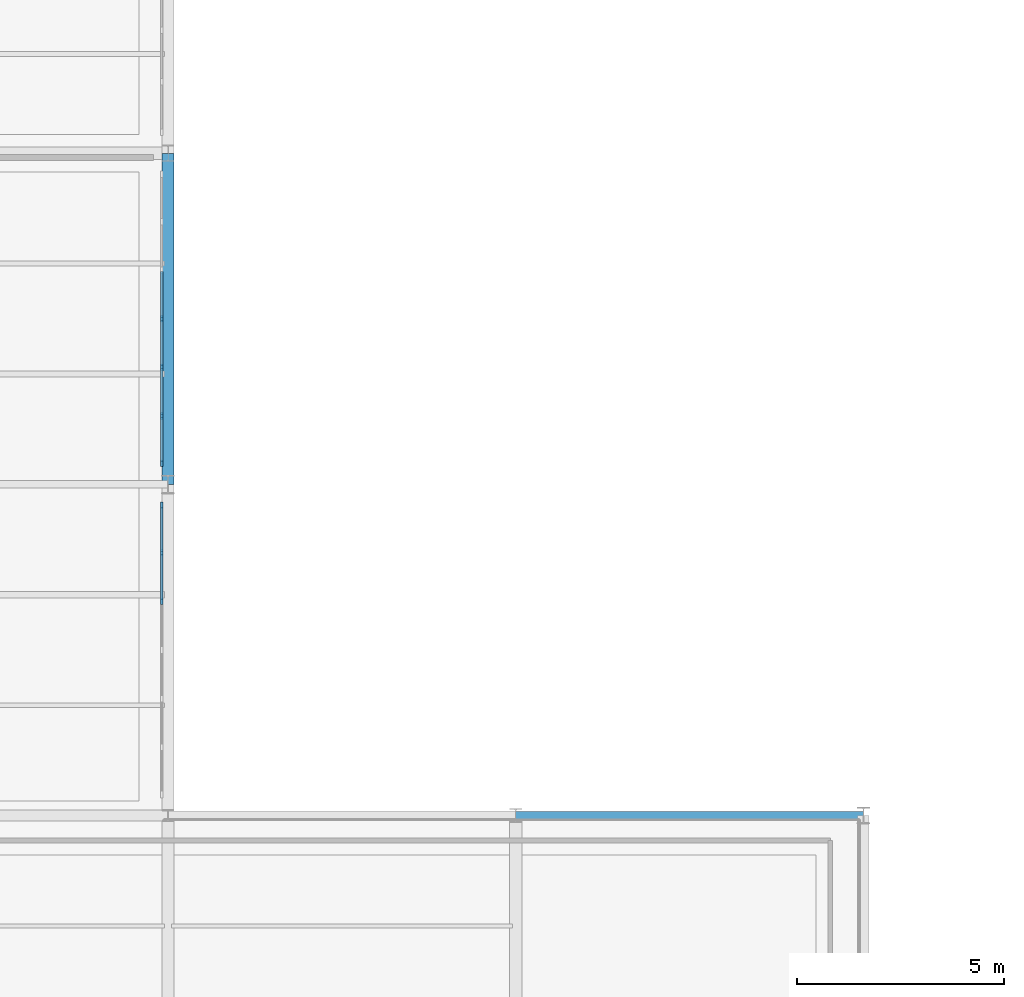
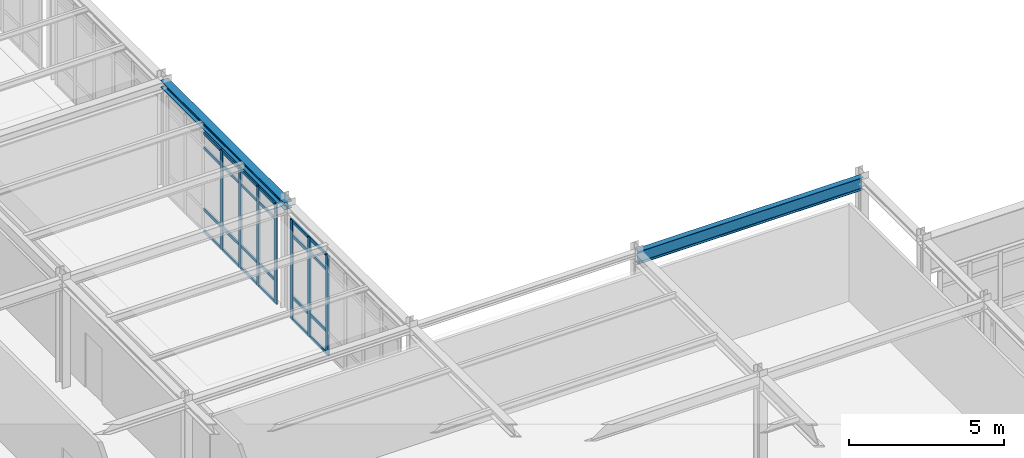
# One storey, part 45 of 106: 31 members, 2 beams, 2 elements without a shape of their own.
"""IFC4 building model written with IfcOpenShell, lengths in metres."""

import ifcopenshell
import ifcopenshell.guid

model = None  # the IFC model being written
_history = None  # IfcOwnerHistory: only IFC2X3 demands one
_inside = {}  # id of a spatial element -> (the spatial element, [elements in it])
_under = {}  # id of a project, library or spatial element -> (it, [spatial elements below it])
_declared = {}  # id of a project -> (the project, [libraries it declares])
_typed = {}  # id of a type object -> (the type object, [elements of that type])
_made_of = {}  # id of a material, layer set ... -> (it, [elements and type objects made of it])


def new_model(schema):
    """Start an empty IFC model of exactly this schema.

    Asked for "IFC4X3", IfcOpenShell would pick the latest addendum, in which some entities
    have other attributes; the version numbers below select the first issue.
    IFC2X3 requires an IfcOwnerHistory on every rooted entity: one is made here for all.
    """
    global model, _history
    if schema == "IFC4X3":
        model = ifcopenshell.file(schema_version=(4, 3, 0, 0))
    else:
        model = ifcopenshell.file(schema=schema)
    _inside.clear()
    _under.clear()
    _declared.clear()
    _typed.clear()
    _made_of.clear()
    _history = None
    if model.schema == "IFC2X3":
        org = make("IfcOrganization", Name="unknown")
        user = make(
            "IfcPersonAndOrganization",
            ThePerson=make("IfcPerson", FamilyName="unknown"),
            TheOrganization=org,
        )
        app = make(
            "IfcApplication",
            ApplicationDeveloper=org,
            Version="unknown",
            ApplicationFullName="unknown",
            ApplicationIdentifier="unknown",
        )
        _history = make(
            "IfcOwnerHistory",
            OwningUser=user,
            OwningApplication=app,
            ChangeAction="ADDED",
            CreationDate=0,
        )
    return model


def make(cls, **values):
    """One entity of the class cls with the attributes given. An attribute that is None is left unset."""
    return model.create_entity(
        cls, **{name: value for name, value in values.items() if value is not None}
    )


def rooted(cls, **values):
    """An entity with a GlobalId (a new one), such as an element, a storey or a relation."""
    return make(cls, GlobalId=ifcopenshell.guid.new(), OwnerHistory=_history, **values)


def si_unit(unit_type, name, prefix=None):
    """IfcSIUnit, for example si_unit("LENGTHUNIT", "METRE", prefix="MILLI")."""
    return make("IfcSIUnit", UnitType=unit_type, Prefix=prefix, Name=name)


def derived_unit(unit_type, elements):
    """IfcDerivedUnit: a product of units, each with its exponent."""
    return make(
        "IfcDerivedUnit",
        Elements=[
            make("IfcDerivedUnitElement", Unit=unit, Exponent=power)
            for unit, power in elements
        ],
        UnitType=unit_type,
    )


def assignment(units):
    """IfcUnitAssignment: the units of a project."""
    return None if units is None else make("IfcUnitAssignment", Units=units)


def point(xyz):
    """IfcCartesianPoint."""
    return None if xyz is None else make("IfcCartesianPoint", Coordinates=xyz)


def direction(xyz):
    """IfcDirection."""
    return None if xyz is None else make("IfcDirection", DirectionRatios=xyz)


def frame(location, z_axis=None, x_axis=None):
    """IfcAxis2Placement3D, a coordinate frame: its origin and axes. An axis left out is left unset."""
    return make(
        "IfcAxis2Placement3D",
        Location=point(location),
        Axis=direction(z_axis),
        RefDirection=direction(x_axis),
    )


def frame_2d(location, x_axis=None):
    """IfcAxis2Placement2D, a coordinate frame in the plane: its origin and x axis."""
    return make(
        "IfcAxis2Placement2D", Location=point(location), RefDirection=direction(x_axis)
    )


def origin():
    """The frame at (0, 0, 0) with its axes left unset."""
    return frame((0.0, 0.0, 0.0))


def origin_2d():
    """The frame at (0, 0) in the plane with its x axis left unset."""
    return frame_2d((0.0, 0.0))


def place(relative_to, where):
    """IfcLocalPlacement: puts the frame where relative to a parent placement (None: the world)."""
    return make(
        "IfcLocalPlacement", PlacementRelTo=relative_to, RelativePlacement=where
    )


def context(
    kind, dimensions, precision=None, world=None, true_north=None, identifier=None
):
    """IfcGeometricRepresentationContext, for example the 3D "Model" context."""
    return make(
        "IfcGeometricRepresentationContext",
        ContextIdentifier=identifier,
        ContextType=kind,
        CoordinateSpaceDimension=dimensions,
        Precision=precision,
        WorldCoordinateSystem=world,
        TrueNorth=true_north,
    )


def subcontext(parent, identifier, kind, view, scale=None):
    """IfcGeometricRepresentationSubContext, for example "Body" below "Model"."""
    return make(
        "IfcGeometricRepresentationSubContext",
        ContextIdentifier=identifier,
        ContextType=kind,
        ParentContext=parent,
        TargetScale=scale,
        TargetView=view,
    )


def project(units=None, contexts=None):
    """IfcProject with its units and contexts."""
    return rooted(
        "IfcProject",
        Name="project",
        RepresentationContexts=contexts,
        UnitsInContext=assignment(units),
    )


def spatial(cls, under=None, at=None, **own):
    """A site, building, storey or space (cls), placed at a placement, below another one or the project."""
    s = rooted(cls, ObjectPlacement=at, **own)
    if under is not None:
        _under.setdefault(under.id(), (under, []))[1].append(s)
    return s


def profile(cls, at=None, kind="AREA", **sizes):
    """A parametric profile (cls). Its sizes go by their IFC names, for example OverallWidth=200.0."""
    return make(cls, ProfileType=kind, Position=at, **sizes)


def rectangle(**sizes):
    """IfcRectangleProfileDef."""
    return profile("IfcRectangleProfileDef", **sizes)


def i_section(**sizes):
    """IfcIShapeProfileDef."""
    return profile("IfcIShapeProfileDef", **sizes)


def extrude(swept, where, along, depth):
    """IfcExtrudedAreaSolid: the profile swept, set in the frame where, extruded along a direction by depth."""
    return make(
        "IfcExtrudedAreaSolid",
        SweptArea=swept,
        Position=where,
        ExtrudedDirection=direction(along),
        Depth=depth,
    )


def shape(context_of_items, identifier, shape_type, items):
    """IfcShapeRepresentation: the items that make up one representation, for example the "Body"."""
    return make(
        "IfcShapeRepresentation",
        ContextOfItems=context_of_items,
        RepresentationIdentifier=identifier,
        RepresentationType=shape_type,
        Items=items,
    )


def material(Name=None, Category=None):
    """IfcMaterial."""
    return make("IfcMaterial", Name=Name, Category=Category)


def layer(
    of_material, thickness, ventilated=None, Name=None, Category=None, Priority=None
):
    """IfcMaterialLayer: one layer of a wall or slab, of a material (None: an air gap)."""
    return make(
        "IfcMaterialLayer",
        Material=of_material,
        LayerThickness=thickness,
        IsVentilated=ventilated,
        Name=Name,
        Category=Category,
        Priority=Priority,
    )


def layer_set(layers, Name=None):
    """IfcMaterialLayerSet."""
    return make("IfcMaterialLayerSet", MaterialLayers=layers, LayerSetName=Name)


def material_profile(
    of_material, cross_section, Name=None, Category=None, Priority=None
):
    """IfcMaterialProfile: a cross section and its material."""
    return make(
        "IfcMaterialProfile",
        Name=Name,
        Material=of_material,
        Profile=cross_section,
        Priority=Priority,
        Category=Category,
    )


def profile_set(profiles, Name=None, composite=None):
    """IfcMaterialProfileSet."""
    return make(
        "IfcMaterialProfileSet",
        Name=Name,
        MaterialProfiles=profiles,
        CompositeProfile=composite,
    )


def made_of(thing, what):
    """Note that an element or type object is made of a material, layer set ...; save() writes the relation."""
    if what is not None:
        _made_of.setdefault(what.id(), (what, []))[1].append(thing)
    return thing


def type_object(cls, material=None, **own):
    """A type object (cls), such as IfcWallType, which elements share."""
    return made_of(rooted(cls, **own), material)


def element(
    cls,
    number,
    at=None,
    inside=None,
    cuts=None,
    type_object=None,
    material=None,
    context=None,
    identifier="Body",
    shape_type=None,
    held_by="IfcProductDefinitionShape",
    body=None,
    shapes=None,
    **own,
):
    """One element of the class cls, such as IfcWall. Its Tag is "e" and its number.

    at: its placement. inside: the storey or other place that contains it. cuts: it is an
    opening in that element (IfcRelVoidsElement). A single representation is given by context,
    identifier, shape_type and body (its items); several are given by shapes. held_by: the class
    of the entity that holds the representations. save() writes the other relations.
    """
    e = rooted(cls, Tag="e%d" % number, ObjectPlacement=at, **own)
    if body is not None:
        shapes = [shape(context, identifier, shape_type, body)]
    if shapes is not None:
        e.Representation = make(held_by, Representations=shapes)
    if inside is not None:
        _inside.setdefault(inside.id(), (inside, []))[1].append(e)
    if cuts is not None:
        rooted(
            "IfcRelVoidsElement", RelatingBuildingElement=cuts, RelatedOpeningElement=e
        )
    if type_object is not None:
        _typed.setdefault(type_object.id(), (type_object, []))[1].append(e)
    return made_of(e, material)


def aggregate(whole, parts):
    """IfcRelAggregates: a whole, such as a stair, and the parts it consists of."""
    return rooted("IfcRelAggregates", RelatingObject=whole, RelatedObjects=parts)


def save(model, path):
    """Write the relations noted so far, then the file.

    IfcRelAggregates (storeys below a building ...), IfcRelContainedInSpatialStructure (elements
    in a storey), IfcRelDefinesByType, IfcRelAssociatesMaterial and IfcRelDeclares: one each for
    every whole, place, type object, material and project.
    """
    for whole, parts in _under.values():
        aggregate(whole, parts)
    for where, things in _inside.values():
        rooted(
            "IfcRelContainedInSpatialStructure",
            RelatedElements=things,
            RelatingStructure=where,
        )
    for kind, things in _typed.values():
        rooted("IfcRelDefinesByType", RelatedObjects=things, RelatingType=kind)
    for what, things in _made_of.values():
        rooted("IfcRelAssociatesMaterial", RelatedObjects=things, RelatingMaterial=what)
    for by, libraries in _declared.values():
        rooted("IfcRelDeclares", RelatingContext=by, RelatedDefinitions=libraries)
    model.write(path)


model = new_model("IFC4")

# Units and contexts
model_context = context("Model", 3, precision=1e-05, world=origin(), true_north=direction((0.0, 1.0)))
body_context = subcontext(model_context, "Body", "Model", "MODEL_VIEW")
ifc_project = project(units=[si_unit("LENGTHUNIT", "METRE"), si_unit("AREAUNIT", "SQUARE_METRE"), si_unit("VOLUMEUNIT", "CUBIC_METRE"), si_unit("PLANEANGLEUNIT", "RADIAN"), si_unit("MASSUNIT", "GRAM", prefix="KILO"), derived_unit("THERMALTRANSMITTANCEUNIT", [(si_unit("POWERUNIT", "WATT"), 1), (si_unit("AREAUNIT", "SQUARE_METRE"), -1), (si_unit("THERMODYNAMICTEMPERATUREUNIT", "KELVIN"), -1)])], contexts=[model_context])

# Site, building, storey
site_placement = place(None, origin())
site = spatial("IfcSite", under=ifc_project, at=site_placement, CompositionType="ELEMENT")
building_placement = place(site_placement, origin())
building = spatial("IfcBuilding", under=site, at=building_placement, Name="Yasenodar Specialist Clinic", CompositionType="ELEMENT")
storey_placement = place(building_placement, frame((0.0, 0.0, 4.5)))
storey = spatial("IfcBuildingStorey", under=building, at=storey_placement, Name="L01", CompositionType="ELEMENT", Elevation=4.5)

# Beams
ifc_material_1 = material(Name="Steel S355", Category="steel")
ifc_material_profile_1 = material_profile(ifc_material_1, i_section(OverallWidth=0.280029296875, OverallDepth=0.280029296875, WebThickness=0.010498046875, FlangeThickness=0.01806640625, FilletRadius=0.02392578125, at=origin_2d()), Name="HEB 280")
ifc_profile_set_1 = profile_set([ifc_material_profile_1], Name="Steel S355")
beam_type_1 = type_object("IfcBeamType", Name="BM-HEB280", PredefinedType="BEAM", material=ifc_profile_set_1)
beam_1_placement = place(storey_placement, frame((16.800048828125, 74.800048828125, 4.110107421875), z_axis=(0.0, 1.0, 0.0), x_axis=(-1.0, 0.0, 0.0)))
element("IfcBeam", 1, at=beam_1_placement, inside=storey, type_object=beam_type_1, Name="L01 Primary N-S Girder", PredefinedType="BEAM", context=body_context, shape_type="SweptSolid", body=[
    extrude(i_section(OverallWidth=0.280029296875, OverallDepth=0.280029296875, WebThickness=0.010498046875, FlangeThickness=0.01806640625, FilletRadius=0.02392578125, at=origin_2d()), origin(), (0.0, 0.0, 1.0), 8.0),
])
ifc_material_profile_2 = material_profile(ifc_material_1, i_section(OverallWidth=0.199951171875, OverallDepth=0.5, WebThickness=0.01025390625, FlangeThickness=0.01611328125, FilletRadius=0.02099609375, at=origin_2d()), Name="IPE 500")
ifc_profile_set_2 = profile_set([ifc_material_profile_2], Name="Steel S355")
beam_type_2 = type_object("IfcBeamType", Name="BM-IPE500", PredefinedType="BEAM", material=ifc_profile_set_2)
beam_2_placement = place(storey_placement, frame((25.199951171875, 66.800048828125, 4.0), z_axis=(1.0, 0.0, 0.0), x_axis=(0.0, 1.0, 0.0)))
element("IfcBeam", 2, at=beam_2_placement, inside=storey, type_object=beam_type_2, Name="L01 Primary E-W Girder", PredefinedType="BEAM", context=body_context, shape_type="SweptSolid", body=[
    extrude(i_section(OverallWidth=0.199951171875, OverallDepth=0.5, WebThickness=0.01025390625, FlangeThickness=0.01611328125, FilletRadius=0.02099609375, at=origin_2d()), origin(), (0.0, 0.0, 1.0), 8.400146484375),
])

# Curtain wall, members
ifc_material_2 = material(Name="Bronze Anodized Aluminium and Triple Low-E Glass", Category="aluminium")
ifc_layer = layer(ifc_material_2, 0.202880859375)
ifc_layer_set = layer_set([ifc_layer], Name="Bronze Anodized Aluminium and Triple Low-E Glass")
curtain_wall_type = type_object("IfcCurtainWallType", Name="CW-SYS-04", PredefinedType="USERDEFINED", material=ifc_layer_set)
curtain_wall_1_placement = place(storey_placement, origin())
curtain_wall_1 = element("IfcCurtainWall", 3, at=curtain_wall_1_placement, inside=storey, type_object=curtain_wall_type, Name="L01 Unitised Curtain Wall 123", ObjectType="UNITISED CURTAIN WALL", PredefinedType="USERDEFINED")
ifc_material_3 = material(Name="Bronze Anodized Aluminium", Category="aluminium")
ifc_material_profile_3 = material_profile(ifc_material_3, rectangle(XDim=0.06005859375, YDim=0.159912109375, at=origin_2d()), Name="CW-MULL 60x160")
ifc_profile_set_3 = profile_set([ifc_material_profile_3], Name="Bronze Anodized Aluminium")
member_type_1 = type_object("IfcMemberType", Name="CW-MULL-160", PredefinedType="MULLION", material=ifc_profile_set_3)
member_1_placement = place(storey_placement, frame((16.64990234375, 78.800048828125, 0.0), z_axis=(0.0, 0.0, 1.0), x_axis=(1.0, 0.0, 0.0)))
member_1 = element("IfcMember", 4, at=member_1_placement, type_object=member_type_1, Name="CW-04 mullion 4", PredefinedType="MULLION", context=body_context, shape_type="SweptSolid", body=[
    extrude(rectangle(XDim=0.06005859375, YDim=0.159912109375, at=origin_2d()), origin(), (0.0, 0.0, 1.0), 3.927978515625),
])
member_2_placement = place(storey_placement, frame((16.64990234375, 77.626708984375, 0.0), z_axis=(0.0, 0.0, 1.0), x_axis=(1.0, 0.0, 0.0)))
member_2 = element("IfcMember", 5, at=member_2_placement, type_object=member_type_1, Name="CW-04 mullion 5", PredefinedType="MULLION", context=body_context, shape_type="SweptSolid", body=[
    extrude(rectangle(XDim=0.06005859375, YDim=0.159912109375, at=origin_2d()), origin(), (0.0, 0.0, 1.0), 3.927978515625),
])
member_3_placement = place(storey_placement, frame((16.64990234375, 76.453369140625, 0.0), z_axis=(0.0, 0.0, 1.0), x_axis=(1.0, 0.0, 0.0)))
member_3 = element("IfcMember", 6, at=member_3_placement, type_object=member_type_1, Name="CW-04 mullion 6", PredefinedType="MULLION", context=body_context, shape_type="SweptSolid", body=[
    extrude(rectangle(XDim=0.06005859375, YDim=0.159912109375, at=origin_2d()), origin(), (0.0, 0.0, 1.0), 3.927978515625),
])
member_4_placement = place(storey_placement, frame((16.64990234375, 75.31005859375, 0.0), z_axis=(0.0, 0.0, 1.0), x_axis=(1.0, 0.0, 0.0)))
member_4 = element("IfcMember", 7, at=member_4_placement, type_object=member_type_1, Name="CW-04 mullion 7", PredefinedType="MULLION", context=body_context, shape_type="SweptSolid", body=[
    extrude(rectangle(XDim=0.06005859375, YDim=0.159912109375, at=origin_2d()), origin(), (0.0, 0.0, 1.0), 3.927978515625),
])

curtain_wall_2_placement = place(storey_placement, origin())
curtain_wall_2 = element("IfcCurtainWall", 8, at=curtain_wall_2_placement, inside=storey, type_object=curtain_wall_type, Name="L01 Unitised Curtain Wall 124", ObjectType="UNITISED CURTAIN WALL", PredefinedType="USERDEFINED")
member_5_placement = place(storey_placement, frame((16.64990234375, 74.2900390625, 0.0), z_axis=(0.0, 0.0, 1.0), x_axis=(1.0, 0.0, 0.0)))
member_5 = element("IfcMember", 9, at=member_5_placement, type_object=member_type_1, Name="CW-04 mullion 1", PredefinedType="MULLION", context=body_context, shape_type="SweptSolid", body=[
    extrude(rectangle(XDim=0.06005859375, YDim=0.159912109375, at=origin_2d()), origin(), (0.0, 0.0, 1.0), 3.927978515625),
])
member_6_placement = place(storey_placement, frame((16.64990234375, 73.146728515625, 0.0), z_axis=(0.0, 0.0, 1.0), x_axis=(1.0, 0.0, 0.0)))
member_6 = element("IfcMember", 10, at=member_6_placement, type_object=member_type_1, Name="CW-04 mullion 2", PredefinedType="MULLION", context=body_context, shape_type="SweptSolid", body=[
    extrude(rectangle(XDim=0.06005859375, YDim=0.159912109375, at=origin_2d()), origin(), (0.0, 0.0, 1.0), 3.927978515625),
])
member_7_placement = place(storey_placement, frame((16.64990234375, 71.973388671875, 0.0), z_axis=(0.0, 0.0, 1.0), x_axis=(1.0, 0.0, 0.0)))
member_7 = element("IfcMember", 11, at=member_7_placement, type_object=member_type_1, Name="CW-04 mullion 3", PredefinedType="MULLION", context=body_context, shape_type="SweptSolid", body=[
    extrude(rectangle(XDim=0.06005859375, YDim=0.159912109375, at=origin_2d()), origin(), (0.0, 0.0, 1.0), 3.927978515625),
])

# Member
ifc_material_profile_4 = material_profile(ifc_material_3, rectangle(XDim=0.06005859375, YDim=0.1201171875, at=origin_2d()), Name="CW-TRAN 60x120")
ifc_profile_set_4 = profile_set([ifc_material_profile_4], Name="Bronze Anodized Aluminium")
member_type_2 = type_object("IfcMemberType", Name="CW-TRAN-120", PredefinedType="USERDEFINED", material=ifc_profile_set_4)
member_8_placement = place(storey_placement, frame((16.64990234375, 79.943359375, 0.030029296875), z_axis=(0.0, -1.0, 0.0), x_axis=(1.0, 0.0, 0.0)))
member_8 = element("IfcMember", 12, at=member_8_placement, type_object=member_type_2, Name="CW-04 transom 3.1", ObjectType="TRANSOM", PredefinedType="USERDEFINED", context=body_context, shape_type="SweptSolid", body=[
    extrude(rectangle(XDim=0.06005859375, YDim=0.1201171875, at=origin_2d()), origin(), (0.0, 0.0, 1.0), 1.11328125),
])

member_9_placement = place(storey_placement, frame((16.64990234375, 79.943359375, 0.89990234375), z_axis=(0.0, -1.0, 0.0), x_axis=(1.0, 0.0, 0.0)))
member_9 = element("IfcMember", 13, at=member_9_placement, type_object=member_type_2, Name="CW-04 transom 3.2", ObjectType="TRANSOM", PredefinedType="USERDEFINED", context=body_context, shape_type="SweptSolid", body=[
    extrude(rectangle(XDim=0.06005859375, YDim=0.1201171875, at=origin_2d()), origin(), (0.0, 0.0, 1.0), 1.11328125),
])

member_10_placement = place(storey_placement, frame((16.64990234375, 79.943359375, 3.327880859375), z_axis=(0.0, -1.0, 0.0), x_axis=(1.0, 0.0, 0.0)))
member_10 = element("IfcMember", 14, at=member_10_placement, type_object=member_type_2, Name="CW-04 transom 3.3", ObjectType="TRANSOM", PredefinedType="USERDEFINED", context=body_context, shape_type="SweptSolid", body=[
    extrude(rectangle(XDim=0.06005859375, YDim=0.1201171875, at=origin_2d()), origin(), (0.0, 0.0, 1.0), 1.11328125),
])

member_11_placement = place(storey_placement, frame((16.64990234375, 79.943359375, 3.89794921875), z_axis=(0.0, -1.0, 0.0), x_axis=(1.0, 0.0, 0.0)))
member_11 = element("IfcMember", 15, at=member_11_placement, type_object=member_type_2, Name="CW-04 transom 3.4", ObjectType="TRANSOM", PredefinedType="USERDEFINED", context=body_context, shape_type="SweptSolid", body=[
    extrude(rectangle(XDim=0.06005859375, YDim=0.1201171875, at=origin_2d()), origin(), (0.0, 0.0, 1.0), 1.11328125),
])

member_12_placement = place(storey_placement, frame((16.64990234375, 78.77001953125, 0.030029296875), z_axis=(0.0, -1.0, 0.0), x_axis=(1.0, 0.0, 0.0)))
member_12 = element("IfcMember", 16, at=member_12_placement, type_object=member_type_2, Name="CW-04 transom 4.1", ObjectType="TRANSOM", PredefinedType="USERDEFINED", context=body_context, shape_type="SweptSolid", body=[
    extrude(rectangle(XDim=0.06005859375, YDim=0.1201171875, at=origin_2d()), origin(), (0.0, 0.0, 1.0), 1.11328125),
])

member_13_placement = place(storey_placement, frame((16.64990234375, 78.77001953125, 0.89990234375), z_axis=(0.0, -1.0, 0.0), x_axis=(1.0, 0.0, 0.0)))
member_13 = element("IfcMember", 17, at=member_13_placement, type_object=member_type_2, Name="CW-04 transom 4.2", ObjectType="TRANSOM", PredefinedType="USERDEFINED", context=body_context, shape_type="SweptSolid", body=[
    extrude(rectangle(XDim=0.06005859375, YDim=0.1201171875, at=origin_2d()), origin(), (0.0, 0.0, 1.0), 1.11328125),
])

member_14_placement = place(storey_placement, frame((16.64990234375, 78.77001953125, 3.327880859375), z_axis=(0.0, -1.0, 0.0), x_axis=(1.0, 0.0, 0.0)))
member_14 = element("IfcMember", 18, at=member_14_placement, type_object=member_type_2, Name="CW-04 transom 4.3", ObjectType="TRANSOM", PredefinedType="USERDEFINED", context=body_context, shape_type="SweptSolid", body=[
    extrude(rectangle(XDim=0.06005859375, YDim=0.1201171875, at=origin_2d()), origin(), (0.0, 0.0, 1.0), 1.11328125),
])

member_15_placement = place(storey_placement, frame((16.64990234375, 78.77001953125, 3.89794921875), z_axis=(0.0, -1.0, 0.0), x_axis=(1.0, 0.0, 0.0)))
member_15 = element("IfcMember", 19, at=member_15_placement, type_object=member_type_2, Name="CW-04 transom 4.4", ObjectType="TRANSOM", PredefinedType="USERDEFINED", context=body_context, shape_type="SweptSolid", body=[
    extrude(rectangle(XDim=0.06005859375, YDim=0.1201171875, at=origin_2d()), origin(), (0.0, 0.0, 1.0), 1.11328125),
])

member_16_placement = place(storey_placement, frame((16.64990234375, 77.5966796875, 0.030029296875), z_axis=(0.0, -1.0, 0.0), x_axis=(1.0, 0.0, 0.0)))
member_16 = element("IfcMember", 20, at=member_16_placement, type_object=member_type_2, Name="CW-04 transom 5.1", ObjectType="TRANSOM", PredefinedType="USERDEFINED", context=body_context, shape_type="SweptSolid", body=[
    extrude(rectangle(XDim=0.06005859375, YDim=0.1201171875, at=origin_2d()), origin(), (0.0, 0.0, 1.0), 1.11328125),
])

member_17_placement = place(storey_placement, frame((16.64990234375, 77.5966796875, 0.89990234375), z_axis=(0.0, -1.0, 0.0), x_axis=(1.0, 0.0, 0.0)))
member_17 = element("IfcMember", 21, at=member_17_placement, type_object=member_type_2, Name="CW-04 transom 5.2", ObjectType="TRANSOM", PredefinedType="USERDEFINED", context=body_context, shape_type="SweptSolid", body=[
    extrude(rectangle(XDim=0.06005859375, YDim=0.1201171875, at=origin_2d()), origin(), (0.0, 0.0, 1.0), 1.11328125),
])

member_18_placement = place(storey_placement, frame((16.64990234375, 77.5966796875, 3.327880859375), z_axis=(0.0, -1.0, 0.0), x_axis=(1.0, 0.0, 0.0)))
member_18 = element("IfcMember", 22, at=member_18_placement, type_object=member_type_2, Name="CW-04 transom 5.3", ObjectType="TRANSOM", PredefinedType="USERDEFINED", context=body_context, shape_type="SweptSolid", body=[
    extrude(rectangle(XDim=0.06005859375, YDim=0.1201171875, at=origin_2d()), origin(), (0.0, 0.0, 1.0), 1.11328125),
])

member_19_placement = place(storey_placement, frame((16.64990234375, 77.5966796875, 3.89794921875), z_axis=(0.0, -1.0, 0.0), x_axis=(1.0, 0.0, 0.0)))
member_19 = element("IfcMember", 23, at=member_19_placement, type_object=member_type_2, Name="CW-04 transom 5.4", ObjectType="TRANSOM", PredefinedType="USERDEFINED", context=body_context, shape_type="SweptSolid", body=[
    extrude(rectangle(XDim=0.06005859375, YDim=0.1201171875, at=origin_2d()), origin(), (0.0, 0.0, 1.0), 1.11328125),
])

member_20_placement = place(storey_placement, frame((16.64990234375, 76.42333984375, 0.030029296875), z_axis=(0.0, -1.0, 0.0), x_axis=(1.0, 0.0, 0.0)))
member_20 = element("IfcMember", 24, at=member_20_placement, type_object=member_type_2, Name="CW-04 transom 6.1", ObjectType="TRANSOM", PredefinedType="USERDEFINED", context=body_context, shape_type="SweptSolid", body=[
    extrude(rectangle(XDim=0.06005859375, YDim=0.1201171875, at=origin_2d()), origin(), (0.0, 0.0, 1.0), 1.083251953125),
])

member_21_placement = place(storey_placement, frame((16.64990234375, 76.42333984375, 0.89990234375), z_axis=(0.0, -1.0, 0.0), x_axis=(1.0, 0.0, 0.0)))
member_21 = element("IfcMember", 25, at=member_21_placement, type_object=member_type_2, Name="CW-04 transom 6.2", ObjectType="TRANSOM", PredefinedType="USERDEFINED", context=body_context, shape_type="SweptSolid", body=[
    extrude(rectangle(XDim=0.06005859375, YDim=0.1201171875, at=origin_2d()), origin(), (0.0, 0.0, 1.0), 1.083251953125),
])

member_22_placement = place(storey_placement, frame((16.64990234375, 76.42333984375, 3.327880859375), z_axis=(0.0, -1.0, 0.0), x_axis=(1.0, 0.0, 0.0)))
member_22 = element("IfcMember", 26, at=member_22_placement, type_object=member_type_2, Name="CW-04 transom 6.3", ObjectType="TRANSOM", PredefinedType="USERDEFINED", context=body_context, shape_type="SweptSolid", body=[
    extrude(rectangle(XDim=0.06005859375, YDim=0.1201171875, at=origin_2d()), origin(), (0.0, 0.0, 1.0), 1.083251953125),
])

member_23_placement = place(storey_placement, frame((16.64990234375, 76.42333984375, 3.89794921875), z_axis=(0.0, -1.0, 0.0), x_axis=(1.0, 0.0, 0.0)))
member_23 = element("IfcMember", 27, at=member_23_placement, type_object=member_type_2, Name="CW-04 transom 6.4", ObjectType="TRANSOM", PredefinedType="USERDEFINED", context=body_context, shape_type="SweptSolid", body=[
    extrude(rectangle(XDim=0.06005859375, YDim=0.1201171875, at=origin_2d()), origin(), (0.0, 0.0, 1.0), 1.083251953125),
])

aggregate(curtain_wall_1, [member_1, member_2, member_3, member_4, member_8, member_9, member_10, member_11, member_12, member_13, member_14, member_15, member_16, member_17, member_18, member_19, member_20, member_21, member_22, member_23])

member_24_placement = place(storey_placement, frame((16.64990234375, 74.260009765625, 0.030029296875), z_axis=(0.0, -1.0, 0.0), x_axis=(1.0, 0.0, 0.0)))
member_24 = element("IfcMember", 28, at=member_24_placement, type_object=member_type_2, Name="CW-04 transom 1.1", ObjectType="TRANSOM", PredefinedType="USERDEFINED", context=body_context, shape_type="SweptSolid", body=[
    extrude(rectangle(XDim=0.06005859375, YDim=0.1201171875, at=origin_2d()), origin(), (0.0, 0.0, 1.0), 1.083251953125),
])

member_25_placement = place(storey_placement, frame((16.64990234375, 74.260009765625, 0.89990234375), z_axis=(0.0, -1.0, 0.0), x_axis=(1.0, 0.0, 0.0)))
member_25 = element("IfcMember", 29, at=member_25_placement, type_object=member_type_2, Name="CW-04 transom 1.2", ObjectType="TRANSOM", PredefinedType="USERDEFINED", context=body_context, shape_type="SweptSolid", body=[
    extrude(rectangle(XDim=0.06005859375, YDim=0.1201171875, at=origin_2d()), origin(), (0.0, 0.0, 1.0), 1.083251953125),
])

member_26_placement = place(storey_placement, frame((16.64990234375, 74.260009765625, 3.327880859375), z_axis=(0.0, -1.0, 0.0), x_axis=(1.0, 0.0, 0.0)))
member_26 = element("IfcMember", 30, at=member_26_placement, type_object=member_type_2, Name="CW-04 transom 1.3", ObjectType="TRANSOM", PredefinedType="USERDEFINED", context=body_context, shape_type="SweptSolid", body=[
    extrude(rectangle(XDim=0.06005859375, YDim=0.1201171875, at=origin_2d()), origin(), (0.0, 0.0, 1.0), 1.083251953125),
])

member_27_placement = place(storey_placement, frame((16.64990234375, 74.260009765625, 3.89794921875), z_axis=(0.0, -1.0, 0.0), x_axis=(1.0, 0.0, 0.0)))
member_27 = element("IfcMember", 31, at=member_27_placement, type_object=member_type_2, Name="CW-04 transom 1.4", ObjectType="TRANSOM", PredefinedType="USERDEFINED", context=body_context, shape_type="SweptSolid", body=[
    extrude(rectangle(XDim=0.06005859375, YDim=0.1201171875, at=origin_2d()), origin(), (0.0, 0.0, 1.0), 1.083251953125),
])

member_28_placement = place(storey_placement, frame((16.64990234375, 73.11669921875, 0.030029296875), z_axis=(0.0, -1.0, 0.0), x_axis=(1.0, 0.0, 0.0)))
member_28 = element("IfcMember", 32, at=member_28_placement, type_object=member_type_2, Name="CW-04 transom 2.1", ObjectType="TRANSOM", PredefinedType="USERDEFINED", context=body_context, shape_type="SweptSolid", body=[
    extrude(rectangle(XDim=0.06005859375, YDim=0.1201171875, at=origin_2d()), origin(), (0.0, 0.0, 1.0), 1.11328125),
])

member_29_placement = place(storey_placement, frame((16.64990234375, 73.11669921875, 0.89990234375), z_axis=(0.0, -1.0, 0.0), x_axis=(1.0, 0.0, 0.0)))
member_29 = element("IfcMember", 33, at=member_29_placement, type_object=member_type_2, Name="CW-04 transom 2.2", ObjectType="TRANSOM", PredefinedType="USERDEFINED", context=body_context, shape_type="SweptSolid", body=[
    extrude(rectangle(XDim=0.06005859375, YDim=0.1201171875, at=origin_2d()), origin(), (0.0, 0.0, 1.0), 1.11328125),
])

member_30_placement = place(storey_placement, frame((16.64990234375, 73.11669921875, 3.327880859375), z_axis=(0.0, -1.0, 0.0), x_axis=(1.0, 0.0, 0.0)))
member_30 = element("IfcMember", 34, at=member_30_placement, type_object=member_type_2, Name="CW-04 transom 2.3", ObjectType="TRANSOM", PredefinedType="USERDEFINED", context=body_context, shape_type="SweptSolid", body=[
    extrude(rectangle(XDim=0.06005859375, YDim=0.1201171875, at=origin_2d()), origin(), (0.0, 0.0, 1.0), 1.11328125),
])

member_31_placement = place(storey_placement, frame((16.64990234375, 73.11669921875, 3.89794921875), z_axis=(0.0, -1.0, 0.0), x_axis=(1.0, 0.0, 0.0)))
member_31 = element("IfcMember", 35, at=member_31_placement, type_object=member_type_2, Name="CW-04 transom 2.4", ObjectType="TRANSOM", PredefinedType="USERDEFINED", context=body_context, shape_type="SweptSolid", body=[
    extrude(rectangle(XDim=0.06005859375, YDim=0.1201171875, at=origin_2d()), origin(), (0.0, 0.0, 1.0), 1.11328125),
])

aggregate(curtain_wall_2, [member_5, member_6, member_7, member_24, member_25, member_26, member_27, member_28, member_29, member_30, member_31])

save(model, "model.ifc")
